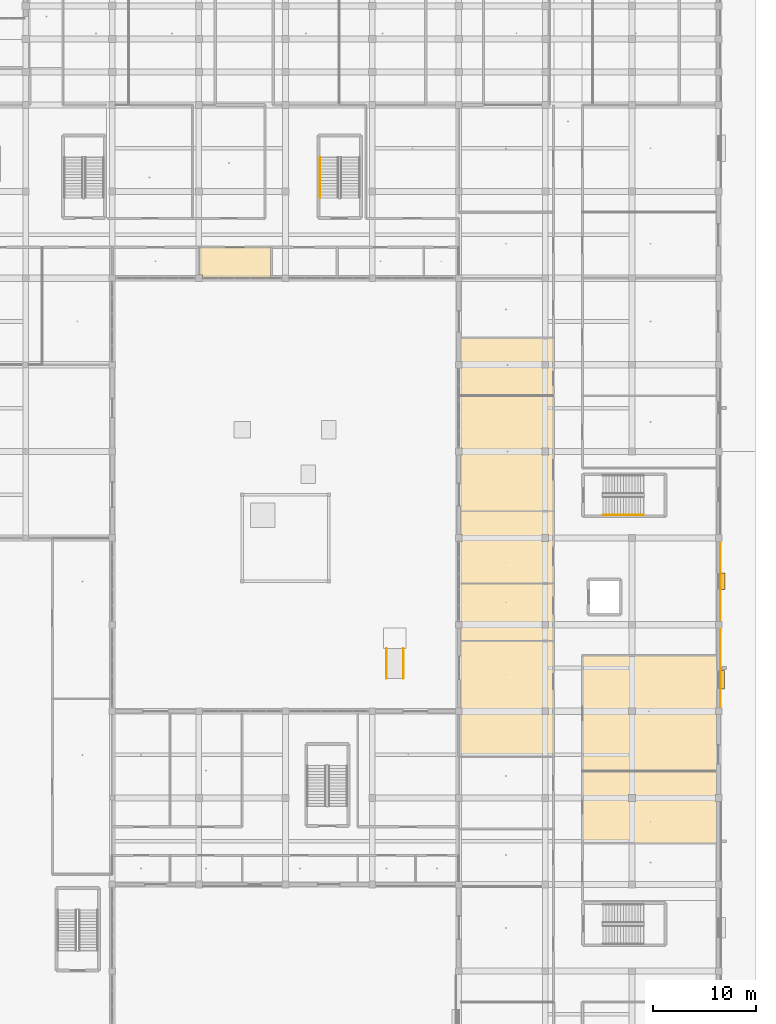
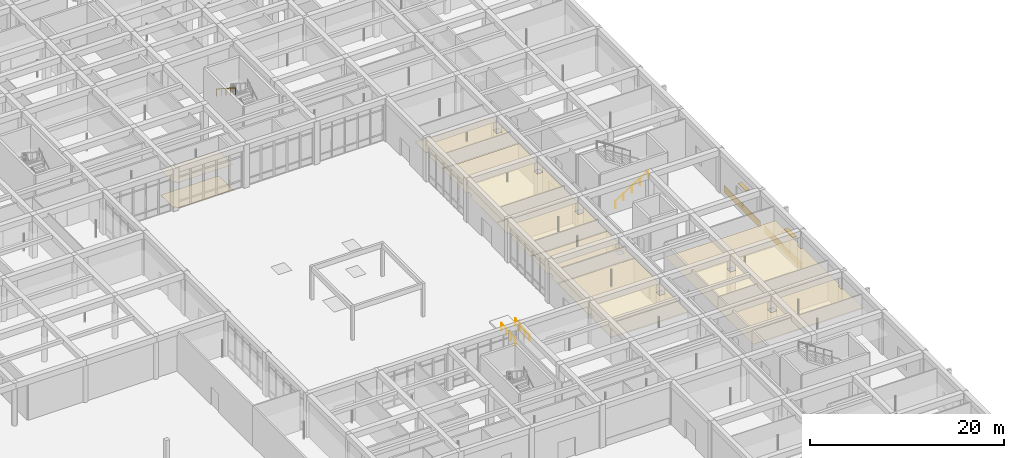
# One storey, part 162 of 167: 11 coverings, 4 railings, 2 shading devices.
"""IFC4 building model written with IfcOpenShell, lengths in metres."""

from ifc_helpers import new_model, si_unit, direction, frame, origin, origin_2d, place, context, subcontext, project, spatial, polyline, rectangle, circle, outline, extrude, material, layer, layer_set, type_object, element, save


model = new_model("IFC4")

# Units and contexts
model_context = context("Model", 3, precision=1e-05, world=origin(), true_north=direction((0.0, 1.0)))
body_context = subcontext(model_context, "Body", "Model", "MODEL_VIEW")
ifc_project = project(units=[si_unit("LENGTHUNIT", "METRE"), si_unit("AREAUNIT", "SQUARE_METRE"), si_unit("VOLUMEUNIT", "CUBIC_METRE"), si_unit("PLANEANGLEUNIT", "RADIAN"), si_unit("MASSUNIT", "GRAM", prefix="KILO")], contexts=[model_context])

# Site, building, storey
site_placement = place(None, origin())
site = spatial("IfcSite", under=ifc_project, at=site_placement, CompositionType="ELEMENT")
building_placement = place(site_placement, origin())
building = spatial("IfcBuilding", under=site, at=building_placement, Name="Varncliffe General Hospital", CompositionType="ELEMENT")
storey_placement = place(building_placement, origin())
storey = spatial("IfcBuildingStorey", under=building, at=storey_placement, Name="L00", CompositionType="ELEMENT", Elevation=0.0)

# Coverings
ifc_material_1 = material(Name="Hygienic antimicrobial acoustic suspended ceiling tile", Category="gypsum")
ifc_layer_1 = layer(ifc_material_1, 0.02490234375)
ifc_layer_set_1 = layer_set([ifc_layer_1], Name="Hygienic antimicrobial acoustic suspended ceiling tile")
covering_type_1 = type_object("IfcCoveringType", Name="Antimicrobial Acoustic Suspended Ceiling CLG44", PredefinedType="CEILING", material=ifc_layer_set_1)
covering_1_placement = place(storey_placement, frame((0.0, 0.0, 3.175048828125)))
element("IfcCovering", 1, at=covering_1_placement, inside=storey, type_object=covering_type_1, Name="L00 Sterile Dispatch and Surgical Prep Room 77 Suspended Ceiling", PredefinedType="CEILING", context=body_context, shape_type="SweptSolid", body=[
    extrude(outline(polyline([(126.0400390625, 85.760009765625), (132.9599609375, 85.760009765625), (132.9599609375, 82.840087890625), (126.324951171875, 82.840087890625), (126.324951171875, 83.125), (126.0400390625, 83.125), (126.0400390625, 85.760009765625)])), origin(), (0.0, 0.0, 1.0), 0.02490234375),
])
covering_2_placement = place(storey_placement, frame((0.0, 0.0, 3.175048828125)))
element("IfcCovering", 2, at=covering_2_placement, inside=storey, type_object=covering_type_1, Name="L00 Physical Rehabilitation Therapy Gym 93 Suspended Ceiling", PredefinedType="CEILING", context=body_context, shape_type="SweptSolid", body=[
    extrude(outline(polyline([(151.239990234375, 47.56005859375), (160.360107421875, 47.56005859375), (160.360107421875, 36.43994140625), (151.239990234375, 36.43994140625), (151.239990234375, 40.47509765625), (151.52490234375, 40.47509765625), (151.52490234375, 41.125), (151.239990234375, 41.125), (151.239990234375, 47.56005859375)]), holes=[polyline([(159.925048828125, 40.47509765625), (159.925048828125, 41.125), (159.27490234375, 41.125), (159.27490234375, 40.47509765625), (159.925048828125, 40.47509765625)])]), origin(), (0.0, 0.0, 1.0), 0.02490234375),
])
covering_3_placement = place(storey_placement, frame((0.0, 0.0, 3.175048828125)))
element("IfcCovering", 3, at=covering_3_placement, inside=storey, type_object=covering_type_1, Name="L00 Outpatient Consultation and Exam Clinic 94 Suspended Ceiling", PredefinedType="CEILING", context=body_context, shape_type="SweptSolid", body=[
    extrude(outline(polyline([(151.239990234375, 53.159912109375), (160.360107421875, 53.159912109375), (160.360107421875, 47.639892578125), (151.239990234375, 47.639892578125), (151.239990234375, 48.875), (151.52490234375, 48.875), (151.52490234375, 49.52490234375), (151.239990234375, 49.52490234375), (151.239990234375, 53.159912109375)]), holes=[polyline([(159.925048828125, 48.875), (159.925048828125, 49.52490234375), (159.27490234375, 49.52490234375), (159.27490234375, 48.875), (159.925048828125, 48.875)])]), origin(), (0.0, 0.0, 1.0), 0.02490234375),
])
covering_4_placement = place(storey_placement, frame((0.0, 0.0, 3.175048828125)))
element("IfcCovering", 4, at=covering_4_placement, inside=storey, type_object=covering_type_1, Name="L00 Orthopaedic Fracture Cast Clinic 95 Suspended Ceiling", PredefinedType="CEILING", context=body_context, shape_type="SweptSolid", body=[
    extrude(outline(polyline([(151.239990234375, 60.159912109375), (160.360107421875, 60.159912109375), (160.360107421875, 53.239990234375), (151.239990234375, 53.239990234375), (151.239990234375, 57.27490234375), (151.52490234375, 57.27490234375), (151.52490234375, 57.925048828125), (151.239990234375, 57.925048828125), (151.239990234375, 60.159912109375)]), holes=[polyline([(159.925048828125, 57.27490234375), (159.925048828125, 57.925048828125), (159.27490234375, 57.925048828125), (159.27490234375, 57.27490234375), (159.925048828125, 57.27490234375)])]), origin(), (0.0, 0.0, 1.0), 0.02490234375),
])
covering_5_placement = place(storey_placement, frame((0.0, 0.0, 3.175048828125)))
element("IfcCovering", 5, at=covering_5_placement, inside=storey, type_object=covering_type_1, Name="L00 Physical Rehabilitation Therapy Gym 96 Suspended Ceiling", PredefinedType="CEILING", context=body_context, shape_type="SweptSolid", body=[
    extrude(outline(polyline([(151.239990234375, 71.360107421875), (160.360107421875, 71.360107421875), (160.360107421875, 60.239990234375), (151.239990234375, 60.239990234375), (151.239990234375, 65.675048828125), (151.52490234375, 65.675048828125), (151.52490234375, 66.324951171875), (151.239990234375, 66.324951171875), (151.239990234375, 71.360107421875)]), holes=[polyline([(159.925048828125, 65.675048828125), (159.925048828125, 66.324951171875), (159.27490234375, 66.324951171875), (159.27490234375, 65.675048828125), (159.925048828125, 65.675048828125)])]), origin(), (0.0, 0.0, 1.0), 0.02490234375),
])
covering_6_placement = place(storey_placement, frame((0.0, 0.0, 3.175048828125)))
element("IfcCovering", 6, at=covering_6_placement, inside=storey, type_object=covering_type_1, Name="L00 Outpatient Consultation and Exam Clinic 97 Suspended Ceiling", PredefinedType="CEILING", context=body_context, shape_type="SweptSolid", body=[
    extrude(outline(polyline([(151.239990234375, 76.9599609375), (160.360107421875, 76.9599609375), (160.360107421875, 71.43994140625), (151.239990234375, 71.43994140625), (151.239990234375, 74.074951171875), (151.52490234375, 74.074951171875), (151.52490234375, 74.72509765625), (151.239990234375, 74.72509765625), (151.239990234375, 76.9599609375)]), holes=[polyline([(159.925048828125, 74.074951171875), (159.925048828125, 74.72509765625), (159.27490234375, 74.72509765625), (159.27490234375, 74.074951171875), (159.925048828125, 74.074951171875)])]), origin(), (0.0, 0.0, 1.0), 0.02490234375),
])
covering_7_placement = place(storey_placement, frame((0.0, 0.0, 3.175048828125)))
element("IfcCovering", 7, at=covering_7_placement, inside=storey, type_object=covering_type_1, Name="L00 Orthopaedic Fracture Cast Clinic 102 Suspended Ceiling", PredefinedType="CEILING", context=body_context, shape_type="SweptSolid", body=[
    extrude(outline(polyline([(176.360107421875, 28.0400390625), (163.239990234375, 28.0400390625), (163.239990234375, 34.9599609375), (176.360107421875, 34.9599609375), (176.360107421875, 32.72509765625), (176.074951171875, 32.72509765625), (176.074951171875, 32.074951171875), (176.360107421875, 32.074951171875), (176.360107421875, 28.0400390625)]), holes=[polyline([(168.324951171875, 32.074951171875), (168.324951171875, 32.72509765625), (167.675048828125, 32.72509765625), (167.675048828125, 32.074951171875), (168.324951171875, 32.074951171875)])]), origin(), (0.0, 0.0, 1.0), 0.02490234375),
])
covering_8_placement = place(storey_placement, frame((0.0, 0.0, 3.175048828125)))
element("IfcCovering", 8, at=covering_8_placement, inside=storey, type_object=covering_type_1, Name="L00 Physical Rehabilitation Therapy Gym 103 Suspended Ceiling", PredefinedType="CEILING", context=body_context, shape_type="SweptSolid", body=[
    extrude(outline(polyline([(176.360107421875, 35.0400390625), (163.239990234375, 35.0400390625), (163.239990234375, 46.159912109375), (176.360107421875, 46.159912109375), (176.360107421875, 41.125), (176.074951171875, 41.125), (176.074951171875, 40.47509765625), (176.360107421875, 40.47509765625), (176.360107421875, 35.0400390625)]), holes=[polyline([(168.324951171875, 40.47509765625), (168.324951171875, 41.125), (167.675048828125, 41.125), (167.675048828125, 40.47509765625), (168.324951171875, 40.47509765625)])]), origin(), (0.0, 0.0, 1.0), 0.02490234375),
])

# Shading devices
ifc_material_2 = material(Name="Dark bronze extruded aluminium solar jalousie louvres", Category="aluminium")
ifc_layer_2 = layer(ifc_material_2, 0.080078125)
ifc_layer_set_2 = layer_set([ifc_layer_2], Name="Dark bronze extruded aluminium solar jalousie louvres")
shading_device_type = type_object("IfcShadingDeviceType", Name="Bronze Solar Jalousie Louvre Hood SHD18", PredefinedType="JALOUSIE", material=ifc_layer_set_2)
shading_device_1_placement = place(storey_placement, frame((176.780029296875, 53.39990234375, 2.85986328125), z_axis=(0.0, 0.0, 1.0), x_axis=(0.0, -1.0, 0.0)))
element("IfcShadingDevice", 9, at=shading_device_1_placement, inside=storey, type_object=shading_device_type, Name="L00 Bronze Window Sun-Shading Louvre 4", PredefinedType="JALOUSIE", context=body_context, shape_type="SweptSolid", body=[
    extrude(rectangle(XDim=1.60009765625, YDim=0.449951171875, at=origin_2d()), origin(), (0.0, 0.0, 1.0), 0.080078125),
])
shading_device_2_placement = place(storey_placement, frame((176.77001953125, 43.843994140625, 2.85986328125), z_axis=(0.0, 0.0, 1.0), x_axis=(0.0, -1.0, 0.0)))
element("IfcShadingDevice", 10, at=shading_device_2_placement, inside=storey, type_object=shading_device_type, Name="L00 Bronze Window Sun-Shading Louvre 5", PredefinedType="JALOUSIE", context=body_context, shape_type="SweptSolid", body=[
    extrude(rectangle(XDim=1.800048828125, YDim=0.449951171875, at=origin_2d()), origin(), (0.0, 0.0, 1.0), 0.080078125),
])

# Coverings
ifc_material_3 = material(Name="Credit Valley buff limestone ashlar cladding", Category="masonry")
ifc_layer_3 = layer(ifc_material_3, 0.050048828125)
ifc_layer_set_3 = layer_set([ifc_layer_3], Name="Credit Valley buff limestone ashlar cladding")
covering_type_2 = type_object("IfcCoveringType", Name="Credit Valley Limestone Ashlar Plinth Cladding CLD17", PredefinedType="CLADDING", material=ifc_layer_set_3)
for number, where, z_axis, x_axis, name in (
    (11, (176.580078125, 53.39990234375, 0.010009765625), (0.0, 0.0, 1.0), (0.0, -1.0, 0.0), "L00 Limestone Base Cladding 29"),
    (12, (176.570068359375, 45.0, 0.010009765625), (0.0, 0.0, 1.0), (0.0, -1.0, 0.0), "L00 Limestone Base Cladding 30"),
):
    element("IfcCovering", number, at=place(storey_placement, frame(where, z_axis=z_axis, x_axis=x_axis)), inside=storey, type_object=covering_type_2, Name=name, PredefinedType="CLADDING", context=body_context, shape_type="SweptSolid", body=[
        extrude(rectangle(XDim=7.513916015625, YDim=0.050048828125, at=origin_2d()), origin(), (0.0, 0.0, 1.0), 0.8798828125),
    ])
ifc_material_4 = material(Name="Seamless welded hospital sheet linoleum and terrazzo flooring", Category="linoleum")
ifc_layer_4 = layer(ifc_material_4, 0.011962890625)
ifc_layer_set_4 = layer_set([ifc_layer_4], Name="Seamless welded hospital sheet linoleum and terrazzo flooring")
covering_type_3 = type_object("IfcCoveringType", Name="Seamless Hospital Linoleum Flooring FLR19", PredefinedType="FLOORING", material=ifc_layer_set_4)
covering_9_placement = place(storey_placement, origin())
element("IfcCovering", 13, at=covering_9_placement, inside=storey, type_object=covering_type_3, Name="L00 Sterile Dispatch and Surgical Prep Room 77 Seamless Flooring", PredefinedType="FLOORING", context=body_context, shape_type="SweptSolid", body=[
    extrude(outline(polyline([(126.0400390625, 85.760009765625), (132.9599609375, 85.760009765625), (132.9599609375, 82.840087890625), (126.324951171875, 82.840087890625), (126.324951171875, 83.125), (126.0400390625, 83.125), (126.0400390625, 85.760009765625)])), origin(), (0.0, 0.0, 1.0), 0.011962890625),
])

# Railings
ifc_material_5 = material(Name="Powder-coated hospital steel guardrail and handrail", Category="steel")
railing_type = type_object("IfcRailingType", Name="Stair and Ramp Handrail HR46", PredefinedType="HANDRAIL", material=ifc_material_5)
railing_1_placement = place(storey_placement, frame((165.199951171875, 59.85009765625, 0.364013671875)))
element("IfcRailing", 14, at=railing_1_placement, inside=storey, type_object=railing_type, Name="L00 ST07 stair handrail 1", PredefinedType="HANDRAIL", context=body_context, shape_type="SweptSolid", body=[
    extrude(circle(Radius=0.02392578125, at=origin_2d()), frame((0.0, 0.0, 0.8759765625), z_axis=(0.841186985886, 0.0, 0.540744352514), x_axis=(0.0, 1.0, 0.0)), (0.0, 0.0, 1.0), 4.660400390625),
    extrude(circle(Radius=0.02099609375, at=origin_2d()), origin(), (0.0, 0.0, 1.0), 0.851806640625),
    extrude(circle(Radius=0.02099609375, at=origin_2d()), frame((0.97998046875, 0.0, 0.6298828125)), (0.0, 0.0, 1.0), 0.851806640625),
    extrude(circle(Radius=0.02099609375, at=origin_2d()), frame((1.9599609375, 0.0, 1.260009765625)), (0.0, 0.0, 1.0), 0.851806640625),
    extrude(circle(Radius=0.02099609375, at=origin_2d()), frame((2.940185546875, 0.0, 1.89013671875)), (0.0, 0.0, 1.0), 0.851806640625),
    extrude(circle(Radius=0.02099609375, at=origin_2d()), frame((3.920166015625, 0.0, 2.52001953125)), (0.0, 0.0, 1.0), 0.851806640625),
])
railing_2_placement = place(storey_placement, frame((137.75, 94.52001953125, 3.06396484375)))
element("IfcRailing", 15, at=railing_2_placement, inside=storey, type_object=railing_type, Name="L00 ST14 stair handrail 2", PredefinedType="HANDRAIL", context=body_context, shape_type="SweptSolid", body=[
    extrude(circle(Radius=0.02392578125, at=origin_2d()), frame((0.0, 0.0, 0.8759765625), z_axis=(0.0, -0.841171666519, 0.540768182723), x_axis=(1.0, 0.0, 0.0)), (0.0, 0.0, 1.0), 4.66015625),
    extrude(circle(Radius=0.02099609375, at=origin_2d()), origin(), (0.0, 0.0, 1.0), 0.851806640625),
    extrude(circle(Radius=0.02099609375, at=origin_2d()), frame((0.0, -0.97998046875, 0.6298828125)), (0.0, 0.0, 1.0), 0.851806640625),
    extrude(circle(Radius=0.02099609375, at=origin_2d()), frame((0.0, -1.9599609375, 1.260009765625)), (0.0, 0.0, 1.0), 0.851806640625),
    extrude(circle(Radius=0.02099609375, at=origin_2d()), frame((0.0, -2.93994140625, 1.89013671875)), (0.0, 0.0, 1.0), 0.851806640625),
    extrude(circle(Radius=0.02099609375, at=origin_2d()), frame((0.0, -3.919921875, 2.52001953125)), (0.0, 0.0, 1.0), 0.851806640625),
])
for number, where, name in (
    (16, (144.179931640625, 44.0, 0.0), "East Cloister Garden Barrier-Free Ramp Handrail L"),
    (17, (145.820068359375, 44.0, 0.0), "East Cloister Garden Barrier-Free Ramp Handrail R"),
):
    element("IfcRailing", number, at=place(storey_placement, frame(where)), inside=storey, type_object=railing_type, Name=name, PredefinedType="HANDRAIL", context=body_context, shape_type="SweptSolid", body=[
        extrude(circle(Radius=0.02392578125, at=origin_2d()), frame((0.0, 0.0, 0.8759765625), z_axis=(0.0, 0.996545758245, 0.083045479854), x_axis=(-1.0, 0.0, 0.0)), (0.0, 0.0, 1.0), 2.889892578125),
        extrude(circle(Radius=0.02099609375, at=origin_2d()), origin(), (0.0, 0.0, 1.0), 0.851806640625),
        extrude(circle(Radius=0.02099609375, at=origin_2d()), frame((0.0, 0.9599609375, 0.080078125)), (0.0, 0.0, 1.0), 0.851806640625),
        extrude(circle(Radius=0.02099609375, at=origin_2d()), frame((0.0, 1.919921875, 0.159912109375)), (0.0, 0.0, 1.0), 0.851806640625),
        extrude(circle(Radius=0.02099609375, at=origin_2d()), frame((0.0, 2.8798828125, 0.239990234375)), (0.0, 0.0, 1.0), 0.851806640625),
    ])

save(model, "model.ifc")
